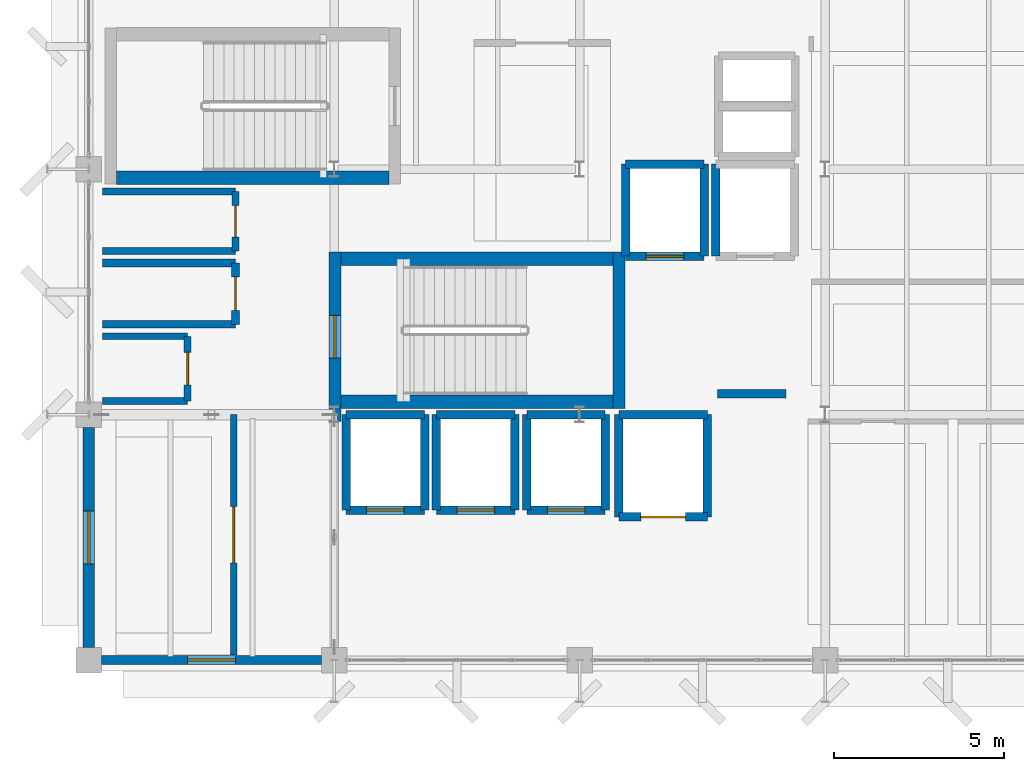
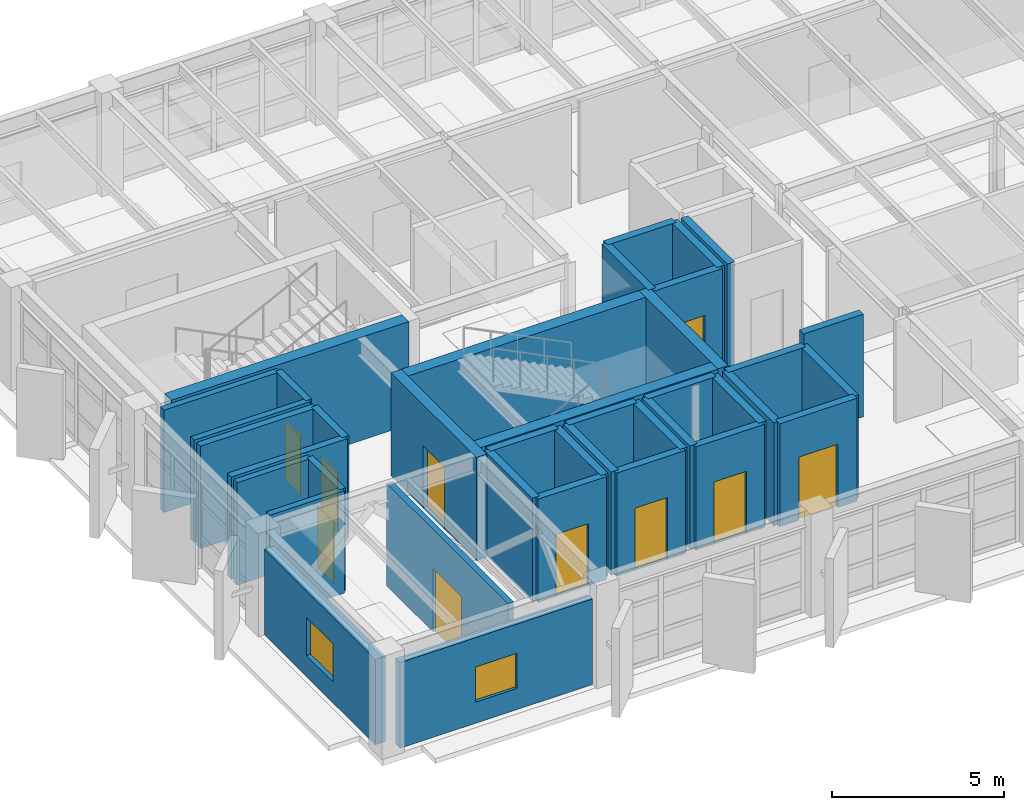
# One storey, part 22 of 32: 39 walls, 10 doors, 2 windows, 12 openings.
"""IFC4 building model written with IfcOpenShell, lengths in metres."""

from ifc_helpers import new_model, si_unit, direction, frame, frame_2d, origin, place, context, subcontext, project, spatial, rectangle, extrude, material, layer, layer_set, type_object, element, fill, save


model = new_model("IFC4")

# Units and contexts
model_context = context("Model", 3, precision=1e-05, world=origin(), true_north=direction((0.0, 1.0)))
body_context = subcontext(model_context, "Body", "Model", "MODEL_VIEW")
ifc_project = project(units=[si_unit("LENGTHUNIT", "METRE"), si_unit("AREAUNIT", "SQUARE_METRE"), si_unit("VOLUMEUNIT", "CUBIC_METRE"), si_unit("PLANEANGLEUNIT", "RADIAN"), si_unit("MASSUNIT", "GRAM", prefix="KILO")], contexts=[model_context])

# Site, building, storey
site_placement = place(None, origin())
site = spatial("IfcSite", under=ifc_project, at=site_placement, CompositionType="ELEMENT")
building_placement = place(site_placement, origin())
building = spatial("IfcBuilding", under=site, at=building_placement, Name="Kandorven Conservatory and Botanical Research Centre", CompositionType="ELEMENT")
storey_placement = place(building_placement, frame((0.0, 0.0, 17.10009765625)))
storey = spatial("IfcBuildingStorey", under=building, at=storey_placement, Name="L04", CompositionType="ELEMENT", Elevation=17.10009765625)

# Walls
ifc_material_1 = material(Name="Concrete C40/50 (M50)", Category="concrete")
ifc_layer_1 = layer(ifc_material_1, 0.39990234375)
ifc_layer_set_1 = layer_set([ifc_layer_1], Name="Concrete C40/50 (M50)")
wall_type_1 = type_object("IfcWallType", Name="Wall_CW-RC-1", PredefinedType="SHEAR", material=ifc_layer_set_1)
for number, where, z_axis, x_axis, name in (
    (1, (13.39990234375, 13.574951171875, 0.0), (0.0, 0.0, 1.0), (1.0, 0.0, 0.0), "Core stair shear wall CW-RC-1 ST-T1 L04 side A"),
    (2, (13.39990234375, 17.77490234375, 0.0), (0.0, 0.0, 1.0), (1.0, 0.0, 0.0), "Core stair shear wall CW-RC-1 ST-T1 L04 side B"),
    (3, (14.800048828125, 20.155029296875, 0.0), (0.0, 0.0, 1.0), (-1.0, 0.0, 0.0), "Core stair shear wall CW-RC-1 ST-T2 L04 side B"),
):
    element("IfcWall", number, at=place(storey_placement, frame(where, z_axis=z_axis, x_axis=x_axis)), inside=storey, type_object=wall_type_1, Name=name, PredefinedType="SHEAR", context=body_context, shape_type="SweptSolid", body=[
        extrude(rectangle(XDim=7.97998046875, YDim=0.39990234375, at=frame_2d((3.989990234375, 0.0))), origin(), (0.0, 0.0, 1.0), 3.659912109375),
    ])

# Wall, opening, door
ifc_material_2 = material(Name="Concrete C40/50 (M50)", Category="concrete")
ifc_layer_2 = layer(ifc_material_2, 0.35009765625)
ifc_layer_set_2 = layer_set([ifc_layer_2], Name="Concrete C40/50 (M50)")
wall_type_2 = type_object("IfcWallType", Name="Wall_CW-RC-2", PredefinedType="SHEAR", material=ifc_layer_set_2)
wall_1_placement = place(storey_placement, frame((13.22509765625, 13.0, 0.0), z_axis=(0.0, 0.0, 1.0), x_axis=(0.0, 1.0, 0.0)))
wall_1 = element("IfcWall", 4, at=wall_1_placement, inside=storey, type_object=wall_type_2, Name="Core stair shear wall CW-RC-2 ST-T1 L04 entry", PredefinedType="SHEAR", context=body_context, shape_type="SweptSolid", body=[
    extrude(rectangle(XDim=4.969970703125, YDim=0.35009765625, at=frame_2d((2.48486328125, 0.0))), origin(), (0.0, 0.0, 1.0), 3.659912109375),
])
opening_1_placement = place(wall_1_placement, frame((1.860107421875, 0.0, 0.0)))
opening_1 = element("IfcOpeningElement", 5, at=opening_1_placement, cuts=wall_1, Name="Opening FD-1", PredefinedType="OPENING", context=body_context, shape_type="SweptSolid", body=[
    extrude(rectangle(XDim=1.25, YDim=2.199951171875, at=frame_2d((0.625, 1.10009765625))), frame((0.0, 0.18505859375, 0.0), z_axis=(0.0, -1.0, 0.0), x_axis=(1.0, 0.0, 0.0)), (0.0, 0.0, 1.0), 0.3701171875),
])
ifc_material_3 = material(Name="Galvanised hollow steel fire door assembly", Category="steel")
door_type_1 = type_object("IfcDoorType", Name="Door_FD-1", OperationType="NOTDEFINED", PredefinedType="DOOR", material=ifc_material_3)
door_1_placement = place(opening_1_placement, origin())
door_1 = element("IfcDoor", 6, at=door_1_placement, inside=storey, type_object=door_type_1, Name="Exit stair fire door FD-1 ST-T1 L04", OperationType="SINGLE_SWING_LEFT", OverallHeight=2.199951171875, OverallWidth=1.25, PredefinedType="DOOR", context=body_context, shape_type="SweptSolid", body=[
    extrude(rectangle(XDim=1.25, YDim=2.199951171875, at=frame_2d((0.625, 1.10009765625))), frame((0.0, 0.02490234375, 0.0), z_axis=(0.0, -1.0, 0.0), x_axis=(1.0, 0.0, 0.0)), (0.0, 0.0, 1.0), 0.050048828125),
])
fill(opening_1, door_1)

# Wall
wall_2_placement = place(storey_placement, frame((21.554931640625, 13.3798828125, 0.0), z_axis=(0.0, 0.0, 1.0), x_axis=(0.0, 1.0, 0.0)))
element("IfcWall", 7, at=wall_2_placement, inside=storey, type_object=wall_type_2, Name="Core stair shear wall CW-RC-2 ST-T1 L04 far", PredefinedType="SHEAR", context=body_context, shape_type="SweptSolid", body=[
    extrude(rectangle(XDim=4.590087890625, YDim=0.35009765625, at=frame_2d((2.294921875, 0.0))), origin(), (0.0, 0.0, 1.0), 3.659912109375),
])

# Wall, opening, door
wall_3_placement = place(storey_placement, frame((21.75, 17.85009765625, 0.0), z_axis=(0.0, 0.0, 1.0), x_axis=(1.0, 0.0, 0.0)))
wall_3 = element("IfcWall", 8, at=wall_3_placement, inside=storey, type_object=wall_type_2, Name="Lift shaft wall FFL-1 L04 S", PredefinedType="SHEAR", context=body_context, shape_type="SweptSolid", body=[
    extrude(rectangle(XDim=2.300048828125, YDim=0.25, at=frame_2d((1.14990234375, 0.0))), origin(), (0.0, 0.0, 1.0), 3.659912109375),
])
opening_2_placement = place(wall_3_placement, frame((0.60009765625, 0.0, 0.0)))
opening_2 = element("IfcOpeningElement", 9, at=opening_2_placement, cuts=wall_3, Name="Opening LD-01", PredefinedType="OPENING", context=body_context, shape_type="SweptSolid", body=[
    extrude(rectangle(XDim=1.10009765625, YDim=2.199951171875, at=frame_2d((0.550048828125, 1.10009765625))), frame((0.0, 0.135009765625, 0.0), z_axis=(0.0, -1.0, 0.0), x_axis=(1.0, 0.0, 0.0)), (0.0, 0.0, 1.0), 0.27001953125),
])
ifc_material_4 = material(Name="Anodised aluminium sliding landing door", Category="aluminium")
door_type_2 = type_object("IfcDoorType", Name="Door_LD-01", OperationType="DOUBLE_DOOR_SLIDING", PredefinedType="DOOR", material=ifc_material_4)
door_2_placement = place(opening_2_placement, origin())
door_2 = element("IfcDoor", 10, at=door_2_placement, inside=storey, type_object=door_type_2, Name="Lift landing sliding door LD-01 (FFL-1 L04)", OperationType="DOUBLE_DOOR_SLIDING", OverallHeight=2.199951171875, OverallWidth=1.10009765625, PredefinedType="DOOR", context=body_context, shape_type="SweptSolid", body=[
    extrude(rectangle(XDim=1.10009765625, YDim=2.199951171875, at=frame_2d((0.550048828125, 1.10009765625))), frame((0.0, 0.02490234375, 0.0), z_axis=(0.0, -1.0, 0.0), x_axis=(1.0, 0.0, 0.0)), (0.0, 0.0, 1.0), 0.050048828125),
])
fill(opening_2, door_2)

# Walls
wall_4_placement = place(storey_placement, frame((21.75, 20.550048828125, 0.0), z_axis=(0.0, 0.0, 1.0), x_axis=(1.0, 0.0, 0.0)))
element("IfcWall", 11, at=wall_4_placement, inside=storey, type_object=wall_type_2, Name="Lift shaft wall FFL-1 L04 N", PredefinedType="SHEAR", context=body_context, shape_type="SweptSolid", body=[
    extrude(rectangle(XDim=2.300048828125, YDim=0.25, at=frame_2d((1.14990234375, 0.0))), origin(), (0.0, 0.0, 1.0), 3.659912109375),
])
for number, where, z_axis, x_axis, name in (
    (12, (21.75, 17.85009765625, 0.0), (0.0, 0.0, 1.0), (0.0, 1.0, 0.0), "Lift shaft wall FFL-1 L04 W"),
    (13, (24.050048828125, 17.85009765625, 0.0), (0.0, 0.0, 1.0), (0.0, 1.0, 0.0), "Lift shaft wall FFL-1 L04 E"),
    (14, (24.39990234375, 17.85009765625, 0.0), (0.0, 0.0, 1.0), (0.0, 1.0, 0.0), "Lift shaft wall FFL-2 L04 W"),
):
    element("IfcWall", number, at=place(storey_placement, frame(where, z_axis=z_axis, x_axis=x_axis)), inside=storey, type_object=wall_type_2, Name=name, PredefinedType="SHEAR", context=body_context, shape_type="SweptSolid", body=[
        extrude(rectangle(XDim=2.699951171875, YDim=0.25, at=frame_2d((1.35009765625, 0.0))), origin(), (0.0, 0.0, 1.0), 3.659912109375),
    ])

# Wall, opening, door
wall_5_placement = place(storey_placement, frame((13.550048828125, 10.39990234375, 0.0), z_axis=(0.0, 0.0, 1.0), x_axis=(1.0, 0.0, 0.0)))
wall_5 = element("IfcWall", 15, at=wall_5_placement, inside=storey, type_object=wall_type_2, Name="Lift shaft wall PL-1 L04 S", PredefinedType="SHEAR", context=body_context, shape_type="SweptSolid", body=[
    extrude(rectangle(XDim=2.300048828125, YDim=0.25, at=frame_2d((1.14990234375, 0.0))), origin(), (0.0, 0.0, 1.0), 3.659912109375),
])
opening_3_placement = place(wall_5_placement, frame((0.60009765625, 0.0, 0.0)))
opening_3 = element("IfcOpeningElement", 16, at=opening_3_placement, cuts=wall_5, Name="Opening LD-01", PredefinedType="OPENING", context=body_context, shape_type="SweptSolid", body=[
    extrude(rectangle(XDim=1.10009765625, YDim=2.199951171875, at=frame_2d((0.550048828125, 1.10009765625))), frame((0.0, 0.135009765625, 0.0), z_axis=(0.0, -1.0, 0.0), x_axis=(1.0, 0.0, 0.0)), (0.0, 0.0, 1.0), 0.27001953125),
])
door_3_placement = place(opening_3_placement, origin())
door_3 = element("IfcDoor", 17, at=door_3_placement, inside=storey, type_object=door_type_2, Name="Lift landing sliding door LD-01 (PL-1 L04)", OperationType="DOUBLE_DOOR_SLIDING", OverallHeight=2.199951171875, OverallWidth=1.10009765625, PredefinedType="DOOR", context=body_context, shape_type="SweptSolid", body=[
    extrude(rectangle(XDim=1.10009765625, YDim=2.199951171875, at=frame_2d((0.550048828125, 1.10009765625))), frame((0.0, 0.02490234375, 0.0), z_axis=(0.0, -1.0, 0.0), x_axis=(1.0, 0.0, 0.0)), (0.0, 0.0, 1.0), 0.050048828125),
])
fill(opening_3, door_3)

# Walls
wall_6_placement = place(storey_placement, frame((13.550048828125, 13.199951171875, 0.0), z_axis=(0.0, 0.0, 1.0), x_axis=(1.0, 0.0, 0.0)))
element("IfcWall", 18, at=wall_6_placement, inside=storey, type_object=wall_type_2, Name="Lift shaft wall PL-1 L04 N", PredefinedType="SHEAR", context=body_context, shape_type="SweptSolid", body=[
    extrude(rectangle(XDim=2.300048828125, YDim=0.25, at=frame_2d((1.14990234375, 0.0))), origin(), (0.0, 0.0, 1.0), 3.659912109375),
])
for number, where, z_axis, x_axis, name in (
    (19, (13.550048828125, 10.39990234375, 0.0), (0.0, 0.0, 1.0), (0.0, 1.0, 0.0), "Lift shaft wall PL-1 L04 W"),
    (20, (15.85009765625, 10.39990234375, 0.0), (0.0, 0.0, 1.0), (0.0, 1.0, 0.0), "Lift shaft wall PL-1 L04 E"),
):
    element("IfcWall", number, at=place(storey_placement, frame(where, z_axis=z_axis, x_axis=x_axis)), inside=storey, type_object=wall_type_2, Name=name, PredefinedType="SHEAR", context=body_context, shape_type="SweptSolid", body=[
        extrude(rectangle(XDim=2.800048828125, YDim=0.25, at=frame_2d((1.39990234375, 0.0))), origin(), (0.0, 0.0, 1.0), 3.659912109375),
    ])

# Wall, opening, door
wall_7_placement = place(storey_placement, frame((16.199951171875, 10.39990234375, 0.0), z_axis=(0.0, 0.0, 1.0), x_axis=(1.0, 0.0, 0.0)))
wall_7 = element("IfcWall", 21, at=wall_7_placement, inside=storey, type_object=wall_type_2, Name="Lift shaft wall PL-2 L04 S", PredefinedType="SHEAR", context=body_context, shape_type="SweptSolid", body=[
    extrude(rectangle(XDim=2.300048828125, YDim=0.25, at=frame_2d((1.14990234375, 0.0))), origin(), (0.0, 0.0, 1.0), 3.659912109375),
])
opening_4_placement = place(wall_7_placement, frame((0.60009765625, 0.0, 0.0)))
opening_4 = element("IfcOpeningElement", 22, at=opening_4_placement, cuts=wall_7, Name="Opening LD-01", PredefinedType="OPENING", context=body_context, shape_type="SweptSolid", body=[
    extrude(rectangle(XDim=1.10009765625, YDim=2.199951171875, at=frame_2d((0.550048828125, 1.10009765625))), frame((0.0, 0.135009765625, 0.0), z_axis=(0.0, -1.0, 0.0), x_axis=(1.0, 0.0, 0.0)), (0.0, 0.0, 1.0), 0.27001953125),
])
door_4_placement = place(opening_4_placement, origin())
door_4 = element("IfcDoor", 23, at=door_4_placement, inside=storey, type_object=door_type_2, Name="Lift landing sliding door LD-01 (PL-2 L04)", OperationType="DOUBLE_DOOR_SLIDING", OverallHeight=2.199951171875, OverallWidth=1.10009765625, PredefinedType="DOOR", context=body_context, shape_type="SweptSolid", body=[
    extrude(rectangle(XDim=1.10009765625, YDim=2.199951171875, at=frame_2d((0.550048828125, 1.10009765625))), frame((0.0, 0.02490234375, 0.0), z_axis=(0.0, -1.0, 0.0), x_axis=(1.0, 0.0, 0.0)), (0.0, 0.0, 1.0), 0.050048828125),
])
fill(opening_4, door_4)

# Walls
wall_8_placement = place(storey_placement, frame((16.199951171875, 13.199951171875, 0.0), z_axis=(0.0, 0.0, 1.0), x_axis=(1.0, 0.0, 0.0)))
element("IfcWall", 24, at=wall_8_placement, inside=storey, type_object=wall_type_2, Name="Lift shaft wall PL-2 L04 N", PredefinedType="SHEAR", context=body_context, shape_type="SweptSolid", body=[
    extrude(rectangle(XDim=2.300048828125, YDim=0.25, at=frame_2d((1.14990234375, 0.0))), origin(), (0.0, 0.0, 1.0), 3.659912109375),
])
for number, where, z_axis, x_axis, name in (
    (25, (16.199951171875, 10.39990234375, 0.0), (0.0, 0.0, 1.0), (0.0, 1.0, 0.0), "Lift shaft wall PL-2 L04 W"),
    (26, (18.5, 10.39990234375, 0.0), (0.0, 0.0, 1.0), (0.0, 1.0, 0.0), "Lift shaft wall PL-2 L04 E"),
):
    element("IfcWall", number, at=place(storey_placement, frame(where, z_axis=z_axis, x_axis=x_axis)), inside=storey, type_object=wall_type_2, Name=name, PredefinedType="SHEAR", context=body_context, shape_type="SweptSolid", body=[
        extrude(rectangle(XDim=2.800048828125, YDim=0.25, at=frame_2d((1.39990234375, 0.0))), origin(), (0.0, 0.0, 1.0), 3.659912109375),
    ])

# Wall, opening, door
wall_9_placement = place(storey_placement, frame((18.85009765625, 10.39990234375, 0.0), z_axis=(0.0, 0.0, 1.0), x_axis=(1.0, 0.0, 0.0)))
wall_9 = element("IfcWall", 27, at=wall_9_placement, inside=storey, type_object=wall_type_2, Name="Lift shaft wall PL-3 L04 S", PredefinedType="SHEAR", context=body_context, shape_type="SweptSolid", body=[
    extrude(rectangle(XDim=2.2998046875, YDim=0.25, at=frame_2d((1.14990234375, 0.0))), origin(), (0.0, 0.0, 1.0), 3.659912109375),
])
opening_5_placement = place(wall_9_placement, frame((0.60009765625, 0.0, 0.0)))
opening_5 = element("IfcOpeningElement", 28, at=opening_5_placement, cuts=wall_9, Name="Opening LD-01", PredefinedType="OPENING", context=body_context, shape_type="SweptSolid", body=[
    extrude(rectangle(XDim=1.10009765625, YDim=2.199951171875, at=frame_2d((0.550048828125, 1.10009765625))), frame((0.0, 0.135009765625, 0.0), z_axis=(0.0, -1.0, 0.0), x_axis=(1.0, 0.0, 0.0)), (0.0, 0.0, 1.0), 0.27001953125),
])
door_5_placement = place(opening_5_placement, origin())
door_5 = element("IfcDoor", 29, at=door_5_placement, inside=storey, type_object=door_type_2, Name="Lift landing sliding door LD-01 (PL-3 L04)", OperationType="DOUBLE_DOOR_SLIDING", OverallHeight=2.199951171875, OverallWidth=1.10009765625, PredefinedType="DOOR", context=body_context, shape_type="SweptSolid", body=[
    extrude(rectangle(XDim=1.10009765625, YDim=2.199951171875, at=frame_2d((0.550048828125, 1.10009765625))), frame((0.0, 0.02490234375, 0.0), z_axis=(0.0, -1.0, 0.0), x_axis=(1.0, 0.0, 0.0)), (0.0, 0.0, 1.0), 0.050048828125),
])
fill(opening_5, door_5)

# Walls
wall_10_placement = place(storey_placement, frame((18.85009765625, 13.199951171875, 0.0), z_axis=(0.0, 0.0, 1.0), x_axis=(1.0, 0.0, 0.0)))
element("IfcWall", 30, at=wall_10_placement, inside=storey, type_object=wall_type_2, Name="Lift shaft wall PL-3 L04 N", PredefinedType="SHEAR", context=body_context, shape_type="SweptSolid", body=[
    extrude(rectangle(XDim=2.2998046875, YDim=0.25, at=frame_2d((1.14990234375, 0.0))), origin(), (0.0, 0.0, 1.0), 3.659912109375),
])
for number, where, z_axis, x_axis, name in (
    (31, (18.85009765625, 10.39990234375, 0.0), (0.0, 0.0, 1.0), (0.0, 1.0, 0.0), "Lift shaft wall PL-3 L04 W"),
    (32, (21.14990234375, 10.39990234375, 0.0), (0.0, 0.0, 1.0), (0.0, 1.0, 0.0), "Lift shaft wall PL-3 L04 E"),
):
    element("IfcWall", number, at=place(storey_placement, frame(where, z_axis=z_axis, x_axis=x_axis)), inside=storey, type_object=wall_type_2, Name=name, PredefinedType="SHEAR", context=body_context, shape_type="SweptSolid", body=[
        extrude(rectangle(XDim=2.800048828125, YDim=0.25, at=frame_2d((1.39990234375, 0.0))), origin(), (0.0, 0.0, 1.0), 3.659912109375),
    ])

# Wall, opening, door
wall_11_placement = place(storey_placement, frame((21.550048828125, 10.199951171875, 0.0), z_axis=(0.0, 0.0, 1.0), x_axis=(1.0, 0.0, 0.0)))
wall_11 = element("IfcWall", 33, at=wall_11_placement, inside=storey, type_object=wall_type_2, Name="Lift shaft wall GL-1 L04 S", PredefinedType="SHEAR", context=body_context, shape_type="SweptSolid", body=[
    extrude(rectangle(XDim=2.599853515625, YDim=0.25, at=frame_2d((1.2998046875, 0.0))), origin(), (0.0, 0.0, 1.0), 3.659912109375),
])
opening_6_placement = place(wall_11_placement, frame((0.64990234375, 0.0, 0.0)))
opening_6 = element("IfcOpeningElement", 34, at=opening_6_placement, cuts=wall_11, Name="Opening LD-02", PredefinedType="OPENING", context=body_context, shape_type="SweptSolid", body=[
    extrude(rectangle(XDim=1.300048828125, YDim=2.25, at=frame_2d((0.64990234375, 1.125))), frame((0.0, 0.135009765625, 0.0), z_axis=(0.0, -1.0, 0.0), x_axis=(1.0, 0.0, 0.0)), (0.0, 0.0, 1.0), 0.27001953125),
])
ifc_material_5 = material(Name="Anodised aluminium sliding landing door", Category="aluminium")
door_type_3 = type_object("IfcDoorType", Name="Door_LD-02", OperationType="DOUBLE_DOOR_SLIDING", PredefinedType="DOOR", material=ifc_material_5)
door_6_placement = place(opening_6_placement, origin())
door_6 = element("IfcDoor", 35, at=door_6_placement, inside=storey, type_object=door_type_3, Name="Lift landing sliding door LD-02 (GL-1 L04)", OperationType="DOUBLE_DOOR_SLIDING", OverallHeight=2.25, OverallWidth=1.300048828125, PredefinedType="DOOR", context=body_context, shape_type="SweptSolid", body=[
    extrude(rectangle(XDim=1.300048828125, YDim=2.25, at=frame_2d((0.64990234375, 1.125))), frame((0.0, 0.02490234375, 0.0), z_axis=(0.0, -1.0, 0.0), x_axis=(1.0, 0.0, 0.0)), (0.0, 0.0, 1.0), 0.050048828125),
])
fill(opening_6, door_6)

# Walls
wall_12_placement = place(storey_placement, frame((21.550048828125, 13.199951171875, 0.0), z_axis=(0.0, 0.0, 1.0), x_axis=(1.0, 0.0, 0.0)))
element("IfcWall", 36, at=wall_12_placement, inside=storey, type_object=wall_type_2, Name="Lift shaft wall GL-1 L04 N", PredefinedType="SHEAR", context=body_context, shape_type="SweptSolid", body=[
    extrude(rectangle(XDim=2.599853515625, YDim=0.25, at=frame_2d((1.2998046875, 0.0))), origin(), (0.0, 0.0, 1.0), 3.659912109375),
])
for number, where, z_axis, x_axis, name in (
    (37, (21.550048828125, 10.199951171875, 0.0), (0.0, 0.0, 1.0), (0.0, 1.0, 0.0), "Lift shaft wall GL-1 L04 W"),
    (38, (24.14990234375, 10.199951171875, 0.0), (0.0, 0.0, 1.0), (0.0, 1.0, 0.0), "Lift shaft wall GL-1 L04 E"),
):
    element("IfcWall", number, at=place(storey_placement, frame(where, z_axis=z_axis, x_axis=x_axis)), inside=storey, type_object=wall_type_2, Name=name, PredefinedType="SHEAR", context=body_context, shape_type="SweptSolid", body=[
        extrude(rectangle(XDim=3.0, YDim=0.25, at=frame_2d((1.5, 0.0))), origin(), (0.0, 0.0, 1.0), 3.659912109375),
    ])

# Wall, opening, window
ifc_material_6 = material(Name="Concrete C32/40 (M40)", Category="concrete")
ifc_layer_3 = layer(ifc_material_6, 0.340087890625)
ifc_layer_set_3 = layer_set([ifc_layer_3], Name="Concrete C32/40 (M40)")
wall_type_3 = type_object("IfcWallType", Name="Wall_EW-02", PredefinedType="STANDARD", material=ifc_layer_set_3)
wall_13_placement = place(storey_placement, frame((6.0, 6.375, 0.0), z_axis=(0.0, 0.0, 1.0), x_axis=(0.0, 1.0, 0.0)))
wall_13 = element("IfcWall", 39, at=wall_13_placement, inside=storey, type_object=wall_type_3, Name="Tower concrete facade wall EW-02 W L04", PredefinedType="STANDARD", context=body_context, shape_type="SweptSolid", body=[
    extrude(rectangle(XDim=6.449951171875, YDim=0.340087890625, at=frame_2d((3.22509765625, 0.0))), origin(), (0.0, 0.0, 1.0), 3.039794921875),
])
opening_7_placement = place(wall_13_placement, frame((2.449951171875, 0.0, 0.75)))
opening_7 = element("IfcOpeningElement", 40, at=opening_7_placement, cuts=wall_13, Name="Opening W-33", PredefinedType="OPENING", context=body_context, shape_type="SweptSolid", body=[
    extrude(rectangle(XDim=1.550048828125, YDim=1.35009765625, at=frame_2d((0.77490234375, 0.675048828125))), frame((0.0, 0.179931640625, 0.0), z_axis=(0.0, -1.0, 0.0), x_axis=(1.0, 0.0, 0.0)), (0.0, 0.0, 1.0), 0.360107421875),
])
ifc_material_7 = material(Name="Double-glazed solar-control low-E glass", Category="glass")
window_type_1 = type_object("IfcWindowType", Name="Win_W-33", PartitioningType="DOUBLE_PANEL_VERTICAL", PredefinedType="WINDOW", material=ifc_material_7)
window_1_placement = place(opening_7_placement, origin())
window_1 = element("IfcWindow", 41, at=window_1_placement, inside=storey, type_object=window_type_1, Name="Tower recessed solar window W-33", OverallHeight=1.35009765625, OverallWidth=1.550048828125, PartitioningType="SINGLE_PANEL", PredefinedType="WINDOW", context=body_context, shape_type="SweptSolid", body=[
    extrude(rectangle(XDim=1.550048828125, YDim=1.35009765625, at=frame_2d((0.77490234375, 0.675048828125))), frame((0.0, 0.030029296875, 0.0), z_axis=(0.0, -1.0, 0.0), x_axis=(1.0, 0.0, 0.0)), (0.0, 0.0, 1.0), 0.06005859375),
])
fill(opening_7, window_1)

ifc_material_8 = material(Name="Concrete C32/40 (M40)", Category="concrete")
ifc_layer_4 = layer(ifc_material_8, 0.260009765625)
ifc_layer_set_4 = layer_set([ifc_layer_4], Name="Concrete C32/40 (M40)")
wall_type_4 = type_object("IfcWallType", Name="Wall_EW-06", PredefinedType="STANDARD", material=ifc_layer_set_4)
wall_14_placement = place(storey_placement, frame((6.375, 6.0, 0.0), z_axis=(0.0, 0.0, 1.0), x_axis=(1.0, 0.0, 0.0)))
wall_14 = element("IfcWall", 42, at=wall_14_placement, inside=storey, type_object=wall_type_4, Name="Tower concrete facade wall EW-06 S L04", PredefinedType="STANDARD", context=body_context, shape_type="SweptSolid", body=[
    extrude(rectangle(XDim=6.449951171875, YDim=0.260009765625, at=frame_2d((3.22509765625, 0.0))), origin(), (0.0, 0.0, 1.0), 3.039794921875),
])
opening_8_placement = place(wall_14_placement, frame((2.52490234375, 0.0, 0.75)))
opening_8 = element("IfcOpeningElement", 43, at=opening_8_placement, cuts=wall_14, Name="Opening W-46", PredefinedType="OPENING", context=body_context, shape_type="SweptSolid", body=[
    extrude(rectangle(XDim=1.39990234375, YDim=1.25, at=frame_2d((0.699951171875, 0.625))), frame((0.0, 0.139892578125, 0.0), z_axis=(0.0, -1.0, 0.0), x_axis=(1.0, 0.0, 0.0)), (0.0, 0.0, 1.0), 0.280029296875),
])
ifc_material_9 = material(Name="Double-glazed solar-control low-E glass", Category="glass")
window_type_2 = type_object("IfcWindowType", Name="Win_W-46", PartitioningType="DOUBLE_PANEL_VERTICAL", PredefinedType="WINDOW", material=ifc_material_9)
window_2_placement = place(opening_8_placement, origin())
window_2 = element("IfcWindow", 44, at=window_2_placement, inside=storey, type_object=window_type_2, Name="Tower recessed solar window W-46", OverallHeight=1.25, OverallWidth=1.39990234375, PartitioningType="SINGLE_PANEL", PredefinedType="WINDOW", context=body_context, shape_type="SweptSolid", body=[
    extrude(rectangle(XDim=1.39990234375, YDim=1.25, at=frame_2d((0.699951171875, 0.625))), frame((0.0, 0.030029296875, 0.0), z_axis=(0.0, -1.0, 0.0), x_axis=(1.0, 0.0, 0.0)), (0.0, 0.0, 1.0), 0.06005859375),
])
fill(opening_8, window_2)

# Wall, opening, door
ifc_material_10 = material(Name="Autoclaved aerated concrete blockwork masonry", Category="masonry")
ifc_layer_5 = layer(ifc_material_10, 0.195068359375)
ifc_layer_set_5 = layer_set([ifc_layer_5], Name="Autoclaved aerated concrete blockwork masonry")
wall_type_5 = type_object("IfcWallType", Name="Wall_IW-02", PredefinedType="PARTITIONING", material=ifc_layer_set_5)
wall_15_placement = place(storey_placement, frame((10.25, 6.14990234375, 0.0), z_axis=(0.0, 0.0, 1.0), x_axis=(0.0, 1.0, 0.0)))
wall_15 = element("IfcWall", 45, at=wall_15_placement, inside=storey, type_object=wall_type_5, Name="Interior partition wall IW-02 (Botanical Chemotaxonomy Research Laboratory L04)", PredefinedType="PARTITIONING", context=body_context, shape_type="SweptSolid", body=[
    extrude(rectangle(XDim=7.050048828125, YDim=0.195068359375, at=frame_2d((3.52490234375, 0.0))), origin(), (0.0, 0.0, 1.0), 3.639892578125),
])
opening_9_placement = place(wall_15_placement, frame((2.699951171875, 0.0, 0.0)))
opening_9 = element("IfcOpeningElement", 46, at=opening_9_placement, cuts=wall_15, Name="Opening D-09", PredefinedType="OPENING", context=body_context, shape_type="SweptSolid", body=[
    extrude(rectangle(XDim=1.64990234375, YDim=2.25, at=frame_2d((0.824951171875, 1.125))), frame((0.0, 0.107421875, 0.0), z_axis=(0.0, -1.0, 0.0), x_axis=(1.0, 0.0, 0.0)), (0.0, 0.0, 1.0), 0.215087890625),
])
ifc_material_11 = material(Name="Solid core acoustic teak-veneered timber leaf", Category="wood")
door_type_4 = type_object("IfcDoorType", Name="Door_D-09", OperationType="NOTDEFINED", PredefinedType="DOOR", material=ifc_material_11)
door_7_placement = place(opening_9_placement, origin())
door_7 = element("IfcDoor", 47, at=door_7_placement, inside=storey, type_object=door_type_4, Name="Interior door D-09 to Botanical Chemotaxonomy Research Laboratory L04", OperationType="DOUBLE_DOOR_SINGLE_SWING", OverallHeight=2.25, OverallWidth=1.64990234375, PredefinedType="DOOR", context=body_context, shape_type="SweptSolid", body=[
    extrude(rectangle(XDim=1.64990234375, YDim=2.25, at=frame_2d((0.824951171875, 1.125))), frame((0.0, 0.02490234375, 0.0), z_axis=(0.0, -1.0, 0.0), x_axis=(1.0, 0.0, 0.0)), (0.0, 0.0, 1.0), 0.050048828125),
])
fill(opening_9, door_7)

# Wall
ifc_material_12 = material(Name="Concrete C32/40 (M40)", Category="concrete")
ifc_layer_6 = layer(ifc_material_12, 0.25)
ifc_layer_set_6 = layer_set([ifc_layer_6], Name="Concrete C32/40 (M40)")
wall_type_6 = type_object("IfcWallType", Name="Wall_IW-FR-1", PredefinedType="SOLIDWALL", material=ifc_layer_set_6)
wall_16_placement = place(storey_placement, frame((24.449951171875, 13.820068359375, 0.0), z_axis=(0.0, 0.0, 1.0), x_axis=(1.0, 0.0, 0.0)))
element("IfcWall", 48, at=wall_16_placement, inside=storey, type_object=wall_type_6, Name="Interior fire partition wall IW-FR-1 (Firefighting Lift Lobby L04)", PredefinedType="SOLIDWALL", context=body_context, shape_type="SweptSolid", body=[
    extrude(rectangle(XDim=2.0, YDim=0.25, at=frame_2d((1.0, 0.0))), origin(), (0.0, 0.0, 1.0), 3.639892578125),
])

# Wall, opening, door
ifc_material_13 = material(Name="Autoclaved aerated concrete blockwork masonry", Category="masonry")
ifc_layer_7 = layer(ifc_material_13, 0.22998046875)
ifc_layer_set_7 = layer_set([ifc_layer_7], Name="Autoclaved aerated concrete blockwork masonry")
wall_type_7 = type_object("IfcWallType", Name="Wall_PW-PL-1", PredefinedType="PLUMBINGWALL", material=ifc_layer_set_7)
wall_17_placement = place(storey_placement, frame((10.300048828125, 15.85009765625, 0.0), z_axis=(0.0, 0.0, 1.0), x_axis=(0.0, 1.0, 0.0)))
wall_17 = element("IfcWall", 49, at=wall_17_placement, inside=storey, type_object=wall_type_7, Name="Interior partition wall PW-PL-1 (Staff Female WC L04)", PredefinedType="PLUMBINGWALL", context=body_context, shape_type="SweptSolid", body=[
    extrude(rectangle(XDim=1.7998046875, YDim=0.22998046875, at=frame_2d((0.89990234375, 0.0))), origin(), (0.0, 0.0, 1.0), 3.639892578125),
])
opening_10_placement = place(wall_17_placement, frame((0.409912109375, 0.0, 0.0)))
opening_10 = element("IfcOpeningElement", 50, at=opening_10_placement, cuts=wall_17, Name="Opening D-12", PredefinedType="OPENING", context=body_context, shape_type="SweptSolid", body=[
    extrude(rectangle(XDim=0.97998046875, YDim=2.10009765625, at=frame_2d((0.489990234375, 1.050048828125))), frame((0.0, 0.125, 0.0), z_axis=(0.0, -1.0, 0.0), x_axis=(1.0, 0.0, 0.0)), (0.0, 0.0, 1.0), 0.25),
])
ifc_material_14 = material(Name="Solid core acoustic teak-veneered timber leaf", Category="wood")
door_type_5 = type_object("IfcDoorType", Name="Door_D-12", OperationType="NOTDEFINED", PredefinedType="DOOR", material=ifc_material_14)
door_8_placement = place(opening_10_placement, origin())
door_8 = element("IfcDoor", 51, at=door_8_placement, inside=storey, type_object=door_type_5, Name="Interior door D-12 to Staff Female WC L04", OperationType="SINGLE_SWING_RIGHT", OverallHeight=2.10009765625, OverallWidth=0.97998046875, PredefinedType="DOOR", context=body_context, shape_type="SweptSolid", body=[
    extrude(rectangle(XDim=0.97998046875, YDim=2.10009765625, at=frame_2d((0.489990234375, 1.050048828125))), frame((0.0, 0.02490234375, 0.0), z_axis=(0.0, -1.0, 0.0), x_axis=(1.0, 0.0, 0.0)), (0.0, 0.0, 1.0), 0.050048828125),
])
fill(opening_10, door_8)

# Walls
for number, where, z_axis, x_axis, name in (
    (52, (6.39990234375, 15.85009765625, 0.0), (0.0, 0.0, 1.0), (1.0, 0.0, 0.0), "Sanitary enclosure wall PW-PL-1 (Staff Female WC L04 S)"),
    (53, (6.39990234375, 17.64990234375, 0.0), (0.0, 0.0, 1.0), (1.0, 0.0, 0.0), "Sanitary enclosure wall PW-PL-1 (Staff Female WC L04 N)"),
):
    element("IfcWall", number, at=place(storey_placement, frame(where, z_axis=z_axis, x_axis=x_axis)), inside=storey, type_object=wall_type_7, Name=name, PredefinedType="PLUMBINGWALL", context=body_context, shape_type="SweptSolid", body=[
        extrude(rectangle(XDim=3.900146484375, YDim=0.22998046875, at=frame_2d((1.9501953125, 0.0))), origin(), (0.0, 0.0, 1.0), 3.639892578125),
    ])

# Wall, opening, door
ifc_material_15 = material(Name="Autoclaved aerated concrete blockwork masonry", Category="masonry")
ifc_layer_8 = layer(ifc_material_15, 0.205078125)
ifc_layer_set_8 = layer_set([ifc_layer_8], Name="Autoclaved aerated concrete blockwork masonry")
wall_type_8 = type_object("IfcWallType", Name="Wall_PW-PL-2", PredefinedType="PLUMBINGWALL", material=ifc_layer_set_8)
wall_18_placement = place(storey_placement, frame((8.89990234375, 13.60009765625, 0.0), z_axis=(0.0, 0.0, 1.0), x_axis=(0.0, 1.0, 0.0)))
wall_18 = element("IfcWall", 54, at=wall_18_placement, inside=storey, type_object=wall_type_8, Name="Interior partition wall PW-PL-2 (Accessible WC L04)", PredefinedType="PLUMBINGWALL", context=body_context, shape_type="SweptSolid", body=[
    extrude(rectangle(XDim=1.89990234375, YDim=0.205078125, at=frame_2d((0.949951171875, 0.0))), origin(), (0.0, 0.0, 1.0), 3.639892578125),
])
opening_11_placement = place(wall_18_placement, frame((0.47509765625, 0.0, 0.0)))
opening_11 = element("IfcOpeningElement", 55, at=opening_11_placement, cuts=wall_18, Name="Opening D-01", PredefinedType="OPENING", context=body_context, shape_type="SweptSolid", body=[
    extrude(rectangle(XDim=0.949951171875, YDim=2.14990234375, at=frame_2d((0.47509765625, 1.074951171875))), frame((0.0, 0.112548828125, 0.0), z_axis=(0.0, -1.0, 0.0), x_axis=(1.0, 0.0, 0.0)), (0.0, 0.0, 1.0), 0.22509765625),
])
ifc_material_16 = material(Name="Solid core acoustic teak-veneered timber leaf", Category="wood")
door_type_6 = type_object("IfcDoorType", Name="Door_D-01", OperationType="NOTDEFINED", PredefinedType="DOOR", material=ifc_material_16)
door_9_placement = place(opening_11_placement, origin())
door_9 = element("IfcDoor", 56, at=door_9_placement, inside=storey, type_object=door_type_6, Name="Interior door D-01 to Accessible WC L04", OperationType="SINGLE_SWING_LEFT", OverallHeight=2.14990234375, OverallWidth=0.949951171875, PredefinedType="DOOR", context=body_context, shape_type="SweptSolid", body=[
    extrude(rectangle(XDim=0.949951171875, YDim=2.14990234375, at=frame_2d((0.47509765625, 1.074951171875))), frame((0.0, 0.02490234375, 0.0), z_axis=(0.0, -1.0, 0.0), x_axis=(1.0, 0.0, 0.0)), (0.0, 0.0, 1.0), 0.050048828125),
])
fill(opening_11, door_9)

# Walls
for number, where, z_axis, x_axis, name in (
    (57, (6.39990234375, 13.60009765625, 0.0), (0.0, 0.0, 1.0), (1.0, 0.0, 0.0), "Sanitary enclosure wall PW-PL-2 (Accessible WC L04 S)"),
    (58, (6.39990234375, 15.5, 0.0), (0.0, 0.0, 1.0), (1.0, 0.0, 0.0), "Sanitary enclosure wall PW-PL-2 (Accessible WC L04 N)"),
):
    element("IfcWall", number, at=place(storey_placement, frame(where, z_axis=z_axis, x_axis=x_axis)), inside=storey, type_object=wall_type_8, Name=name, PredefinedType="PLUMBINGWALL", context=body_context, shape_type="SweptSolid", body=[
        extrude(rectangle(XDim=2.5, YDim=0.205078125, at=frame_2d((1.25, 0.0))), origin(), (0.0, 0.0, 1.0), 3.639892578125),
    ])

# Wall, opening, door
wall_19_placement = place(storey_placement, frame((10.300048828125, 18.0, 0.0), z_axis=(0.0, 0.0, 1.0), x_axis=(0.0, 1.0, 0.0)))
wall_19 = element("IfcWall", 59, at=wall_19_placement, inside=storey, type_object=wall_type_8, Name="Interior partition wall PW-PL-2 (Staff Male WC L04)", PredefinedType="PLUMBINGWALL", context=body_context, shape_type="SweptSolid", body=[
    extrude(rectangle(XDim=1.75, YDim=0.205078125, at=frame_2d((0.875, 0.0))), origin(), (0.0, 0.0, 1.0), 3.639892578125),
])
opening_12_placement = place(wall_19_placement, frame((0.4150390625, 0.0, 0.0)))
opening_12 = element("IfcOpeningElement", 60, at=opening_12_placement, cuts=wall_19, Name="Opening D-11", PredefinedType="OPENING", context=body_context, shape_type="SweptSolid", body=[
    extrude(rectangle(XDim=0.919921875, YDim=2.10009765625, at=frame_2d((0.4599609375, 1.050048828125))), frame((0.0, 0.112548828125, 0.0), z_axis=(0.0, -1.0, 0.0), x_axis=(1.0, 0.0, 0.0)), (0.0, 0.0, 1.0), 0.22509765625),
])
ifc_material_17 = material(Name="Solid core acoustic teak-veneered timber leaf", Category="wood")
door_type_7 = type_object("IfcDoorType", Name="Door_D-11", OperationType="NOTDEFINED", PredefinedType="DOOR", material=ifc_material_17)
door_10_placement = place(opening_12_placement, frame((0.919921875, 0.0, 0.0), z_axis=(0.0, 0.0, 1.0), x_axis=(-1.0, 0.0, 0.0)))
door_10 = element("IfcDoor", 61, at=door_10_placement, inside=storey, type_object=door_type_7, Name="Interior door D-11 to Staff Male WC L04", OperationType="SINGLE_SWING_LEFT", OverallHeight=2.10009765625, OverallWidth=0.919921875, PredefinedType="DOOR", context=body_context, shape_type="SweptSolid", body=[
    extrude(rectangle(XDim=0.919921875, YDim=2.10009765625, at=frame_2d((0.4599609375, 1.050048828125))), frame((0.0, 0.02490234375, 0.0), z_axis=(0.0, -1.0, 0.0), x_axis=(1.0, 0.0, 0.0)), (0.0, 0.0, 1.0), 0.050048828125),
])
fill(opening_12, door_10)

# Walls
for number, where, z_axis, x_axis, name in (
    (62, (6.39990234375, 18.0, 0.0), (0.0, 0.0, 1.0), (1.0, 0.0, 0.0), "Sanitary enclosure wall PW-PL-2 (Staff Male WC L04 S)"),
    (63, (6.39990234375, 19.75, 0.0), (0.0, 0.0, 1.0), (1.0, 0.0, 0.0), "Sanitary enclosure wall PW-PL-2 (Staff Male WC L04 N)"),
):
    element("IfcWall", number, at=place(storey_placement, frame(where, z_axis=z_axis, x_axis=x_axis)), inside=storey, type_object=wall_type_8, Name=name, PredefinedType="PLUMBINGWALL", context=body_context, shape_type="SweptSolid", body=[
        extrude(rectangle(XDim=3.900146484375, YDim=0.205078125, at=frame_2d((1.9501953125, 0.0))), origin(), (0.0, 0.0, 1.0), 3.639892578125),
    ])

save(model, "model.ifc")
